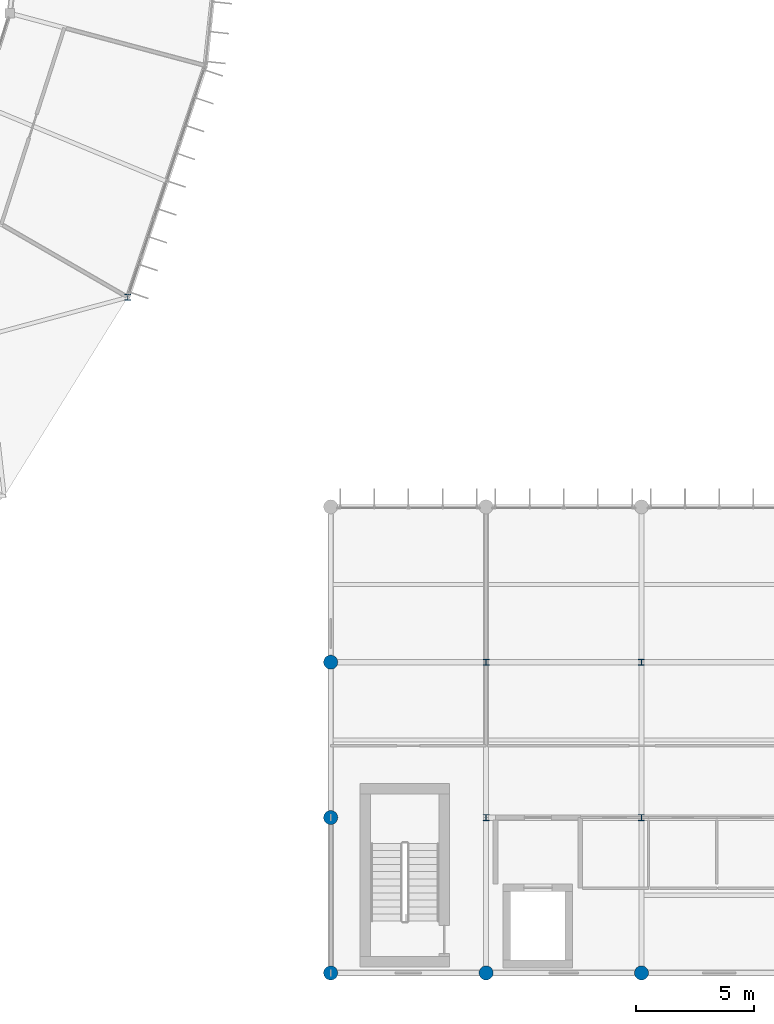
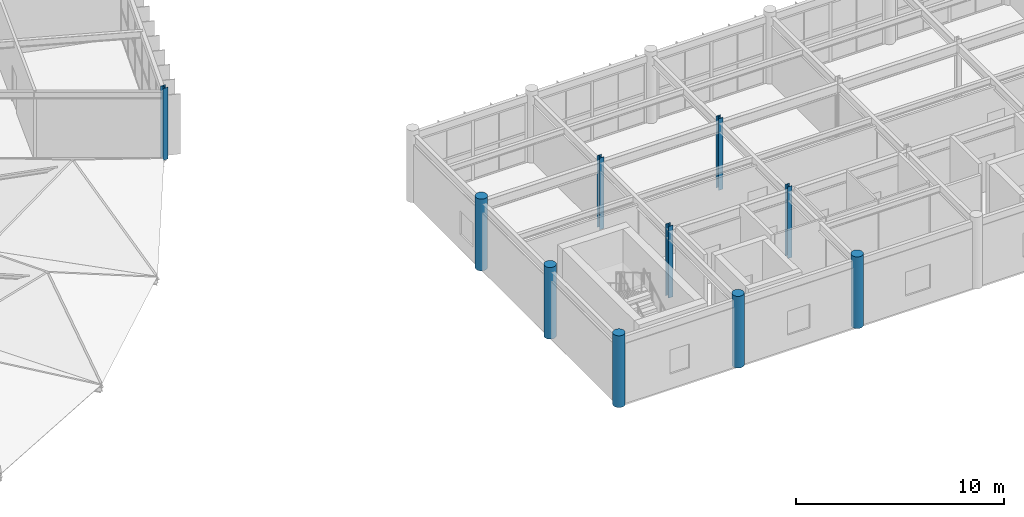
# One storey, part 1 of 66: 10 columns.
"""IFC4 building model written with IfcOpenShell, lengths in metres."""

from ifc_helpers import new_model, si_unit, direction, frame, origin, origin_2d, place, context, subcontext, project, spatial, circle, i_section, extrude, material, material_profile, profile_set, type_object, element, save


model = new_model("IFC4")

# Units and contexts
model_context = context("Model", 3, precision=1e-05, world=origin(), true_north=direction((0.0, 1.0)))
body_context = subcontext(model_context, "Body", "Model", "MODEL_VIEW")
ifc_project = project(units=[si_unit("LENGTHUNIT", "METRE"), si_unit("AREAUNIT", "SQUARE_METRE"), si_unit("VOLUMEUNIT", "CUBIC_METRE"), si_unit("PLANEANGLEUNIT", "RADIAN"), si_unit("MASSUNIT", "GRAM", prefix="KILO")], contexts=[model_context])

# Site, building, storey
site_placement = place(None, origin())
site = spatial("IfcSite", under=ifc_project, at=site_placement, CompositionType="ELEMENT")
building_placement = place(site_placement, origin())
building = spatial("IfcBuilding", under=site, at=building_placement, Name="Karori Crest Natural Sciences Institute", CompositionType="ELEMENT")
storey_placement = place(building_placement, frame((0.0, 0.0, 30.10009765625)))
storey = spatial("IfcBuildingStorey", under=building, at=storey_placement, Name="L07", CompositionType="ELEMENT", Elevation=30.10009765625)

# Columns
ifc_material_1 = material(Name="Structural steel AS/NZS 3679.1 Grade 350", Category="steel")
ifc_material_profile_1 = material_profile(ifc_material_1, i_section(OverallWidth=0.25390625, OverallDepth=0.25390625, WebThickness=0.008544921875, FlangeThickness=0.01416015625, FilletRadius=0.013916015625, at=origin_2d()), Name="250UC72.9")
ifc_profile_set_1 = profile_set([ifc_material_profile_1], Name="Structural steel AS/NZS 3679.1 Grade 350")
column_type_1 = type_object("IfcColumnType", Name="CT-07", PredefinedType="COLUMN", material=ifc_profile_set_1)
column_placement = place(storey_placement, frame((94.978759765625, 29.5, 0.0), z_axis=(0.0, 0.0, 1.0), x_axis=(1.0, 0.0, 0.0)))
element("IfcColumn", 1, at=column_placement, inside=storey, type_object=column_type_1, Name="Column C-0377", PredefinedType="COLUMN", context=body_context, shape_type="SweptSolid", body=[
    extrude(i_section(OverallWidth=0.25390625, OverallDepth=0.25390625, WebThickness=0.008544921875, FlangeThickness=0.01416015625, FilletRadius=0.013916015625, at=origin_2d()), origin(), (0.0, 0.0, 1.0), 4.199951171875),
])
ifc_material_profile_2 = material_profile(ifc_material_1, i_section(OverallWidth=0.25390625, OverallDepth=0.25390625, WebThickness=0.008544921875, FlangeThickness=0.01416015625, FilletRadius=0.013916015625, at=origin_2d()), Name="250UC72.9")
ifc_profile_set_2 = profile_set([ifc_material_profile_2], Name="Structural steel AS/NZS 3679.1 Grade 350")
column_type_2 = type_object("IfcColumnType", Name="CT-07-IL", PredefinedType="COLUMN", material=ifc_profile_set_2)
for number, where, z_axis, x_axis, name in (
    (2, (110.199951171875, 7.39990234375, 0.0), (0.0, 0.0, 1.0), (1.0, 0.0, 0.0), "Column C-1085"),
    (3, (110.199951171875, 14.0, 0.0), (0.0, 0.0, 1.0), (1.0, 0.0, 0.0), "Column C-1097"),
    (4, (116.800048828125, 7.39990234375, 0.0), (0.0, 0.0, 1.0), (1.0, 0.0, 0.0), "Column C-1133"),
    (5, (116.800048828125, 14.0, 0.0), (0.0, 0.0, 1.0), (1.0, 0.0, 0.0), "Column C-1145"),
):
    element("IfcColumn", number, at=place(storey_placement, frame(where, z_axis=z_axis, x_axis=x_axis)), inside=storey, type_object=column_type_2, Name=name, PredefinedType="COLUMN", context=body_context, shape_type="SweptSolid", body=[
        extrude(i_section(OverallWidth=0.25390625, OverallDepth=0.25390625, WebThickness=0.008544921875, FlangeThickness=0.01416015625, FilletRadius=0.013916015625, at=origin_2d()), origin(), (0.0, 0.0, 1.0), 4.199951171875),
    ])
ifc_material_2 = material(Name="Concrete 50 MPa", Category="concrete")
ifc_material_profile_3 = material_profile(ifc_material_2, circle(Radius=0.300048828125, at=origin_2d()), Name="RCC600")
ifc_profile_set_3 = profile_set([ifc_material_profile_3], Name="Concrete 50 MPa")
column_type_3 = type_object("IfcColumnType", Name="CT-24", PredefinedType="PILASTER", material=ifc_profile_set_3)
for number, where, z_axis, x_axis, name in (
    (6, (103.60009765625, 0.800048828125, 0.0), (0.0, 0.0, 1.0), (1.0, 0.0, 0.0), "Column C-1025"),
    (7, (103.60009765625, 7.39990234375, 0.0), (0.0, 0.0, 1.0), (1.0, 0.0, 0.0), "Column C-1037"),
    (8, (103.60009765625, 14.0, 0.0), (0.0, 0.0, 1.0), (1.0, 0.0, 0.0), "Column C-1049"),
    (9, (110.199951171875, 0.800048828125, 0.0), (0.0, 0.0, 1.0), (1.0, 0.0, 0.0), "Column C-1073"),
    (10, (116.800048828125, 0.800048828125, 0.0), (0.0, 0.0, 1.0), (1.0, 0.0, 0.0), "Column C-1121"),
):
    element("IfcColumn", number, at=place(storey_placement, frame(where, z_axis=z_axis, x_axis=x_axis)), inside=storey, type_object=column_type_3, Name=name, PredefinedType="PILASTER", context=body_context, shape_type="SweptSolid", body=[
        extrude(circle(Radius=0.300048828125, at=origin_2d()), origin(), (0.0, 0.0, 1.0), 4.199951171875),
    ])

save(model, "model.ifc")
